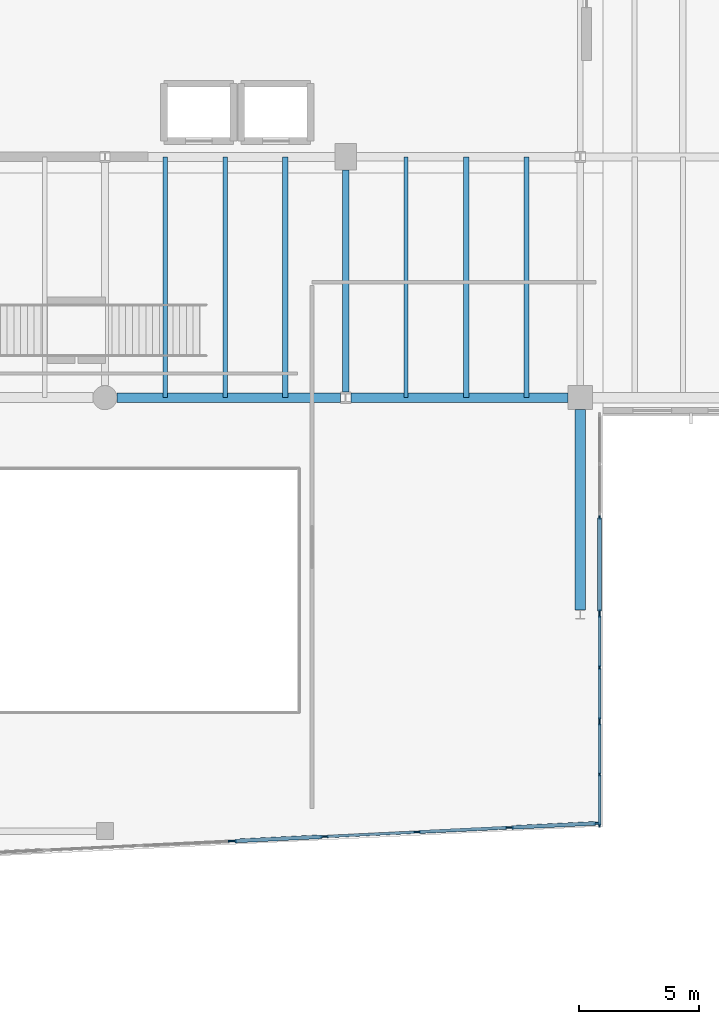
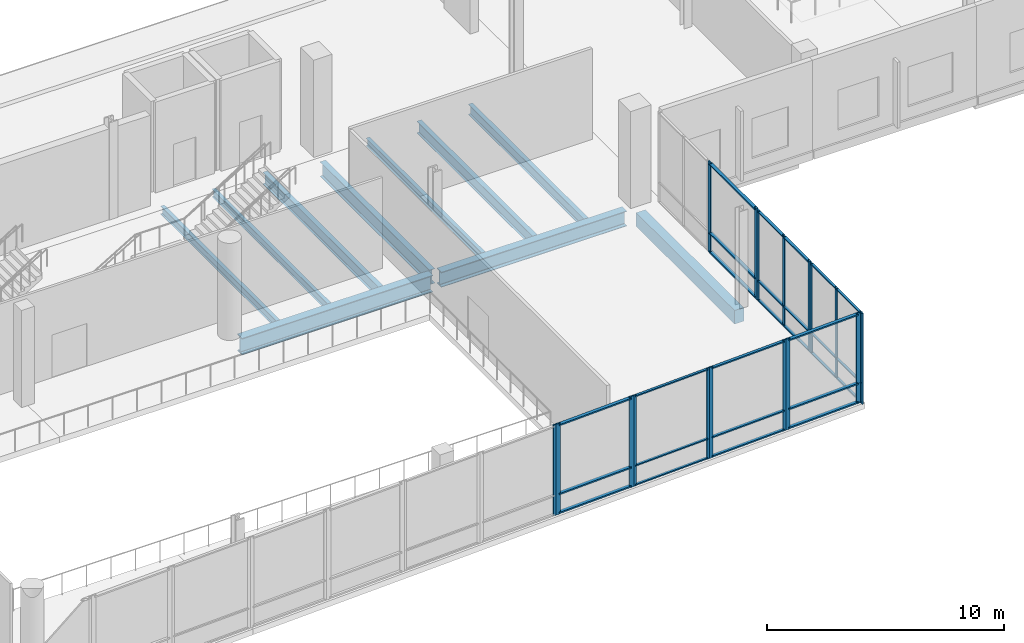
# One storey, part 28 of 81: 44 members, 10 beams, 8 elements without a shape of their own.
"""IFC4 building model written with IfcOpenShell, lengths in metres."""

from ifc_helpers import new_model, si_unit, direction, frame, origin, origin_2d, place, context, subcontext, project, spatial, rectangle, i_section, extrude, material, material_profile, profile_set, type_object, element, aggregate, save


model = new_model("IFC4")

# Units and contexts
model_context = context("Model", 3, precision=1e-05, world=origin(), true_north=direction((0.0, 1.0)))
body_context = subcontext(model_context, "Body", "Model", "MODEL_VIEW")
ifc_project = project(units=[si_unit("LENGTHUNIT", "METRE"), si_unit("AREAUNIT", "SQUARE_METRE"), si_unit("VOLUMEUNIT", "CUBIC_METRE"), si_unit("PLANEANGLEUNIT", "RADIAN"), si_unit("MASSUNIT", "GRAM", prefix="KILO")], contexts=[model_context])

# Site, building, storey
site_placement = place(None, origin())
site = spatial("IfcSite", under=ifc_project, at=site_placement, CompositionType="ELEMENT")
building_placement = place(site_placement, origin())
building = spatial("IfcBuilding", under=site, at=building_placement, Name="Trimount Lyric Opera House", CompositionType="ELEMENT")
storey_placement = place(building_placement, frame((0.0, 0.0, 5.0)))
storey = spatial("IfcBuildingStorey", under=building, at=storey_placement, Name="L01", CompositionType="ELEMENT", Elevation=5.0)

# Beams
ifc_material_1 = material(Name="Steel ASTM A992 Grade 50", Category="steel")
ifc_material_profile_1 = material_profile(ifc_material_1, i_section(OverallWidth=0.40087890625, OverallDepth=0.861083984375, WebThickness=0.019775390625, FlangeThickness=0.032470703125, FilletRadius=0.02001953125, at=origin_2d()), Name="W33X221")
ifc_profile_set_1 = profile_set([ifc_material_profile_1], Name="Steel ASTM A992 Grade 50")
beam_type_1 = type_object("IfcBeamType", Name="B-04", PredefinedType="BEAM", material=ifc_profile_set_1)
beam_1_placement = place(storey_placement, frame((94.5, 44.0, -0.73046875), z_axis=(1.0, 0.0, 0.0), x_axis=(0.0, 1.0, 0.0)))
element("IfcBeam", 1, at=beam_1_placement, inside=storey, type_object=beam_type_1, Name="L01 girder X-0482", PredefinedType="BEAM", context=body_context, shape_type="SweptSolid", body=[
    extrude(i_section(OverallWidth=0.40087890625, OverallDepth=0.861083984375, WebThickness=0.019775390625, FlangeThickness=0.032470703125, FilletRadius=0.02001953125, at=origin_2d()), origin(), (0.0, 0.0, 1.0), 9.2890625),
])
ifc_material_2 = material(Name="Steel ASTM A992 Grade 50", Category="steel")
ifc_material_profile_2 = material_profile(ifc_material_2, i_section(OverallWidth=0.382080078125, OverallDepth=0.779052734375, WebThickness=0.01806640625, FlangeThickness=0.0302734375, FilletRadius=0.01904296875, at=origin_2d()), Name="W30X191")
ifc_profile_set_2 = profile_set([ifc_material_profile_2], Name="Steel ASTM A992 Grade 50")
beam_type_2 = type_object("IfcBeamType", Name="B-06", PredefinedType="BEAM", material=ifc_profile_set_2)
beam_2_placement = place(storey_placement, frame((104.2109375, 44.0, -0.689453125), z_axis=(1.0, 0.0, 0.0), x_axis=(0.0, 1.0, 0.0)))
element("IfcBeam", 2, at=beam_2_placement, inside=storey, type_object=beam_type_2, Name="L01 girder X-0483", PredefinedType="BEAM", context=body_context, shape_type="SweptSolid", body=[
    extrude(i_section(OverallWidth=0.382080078125, OverallDepth=0.779052734375, WebThickness=0.01806640625, FlangeThickness=0.0302734375, FilletRadius=0.01904296875, at=origin_2d()), origin(), (0.0, 0.0, 1.0), 9.029052734375),
])
ifc_material_3 = material(Name="Steel ASTM A992 Grade 50", Category="steel")
ifc_material_profile_3 = material_profile(ifc_material_3, i_section(OverallWidth=0.26708984375, OverallDepth=0.761962890625, WebThickness=0.014404296875, FlangeThickness=0.021484375, FilletRadius=0.01708984375, at=origin_2d()), Name="W30X116")
ifc_profile_set_3 = profile_set([ifc_material_profile_3], Name="Steel ASTM A992 Grade 50")
beam_type_3 = type_object("IfcBeamType", Name="B-07", PredefinedType="BEAM", material=ifc_profile_set_3)
beam_3_placement = place(storey_placement, frame((104.0, 44.232421875, -0.7060546875), z_axis=(0.0, 1.0, 0.0), x_axis=(-1.0, 0.0, 0.0)))
element("IfcBeam", 3, at=beam_3_placement, inside=storey, type_object=beam_type_3, Name="L01 girder Y-0660", PredefinedType="BEAM", context=body_context, shape_type="SweptSolid", body=[
    extrude(i_section(OverallWidth=0.26708984375, OverallDepth=0.761962890625, WebThickness=0.014404296875, FlangeThickness=0.021484375, FilletRadius=0.01708984375, at=origin_2d()), origin(), (0.0, 0.0, 1.0), 9.217529296875),
])
ifc_material_4 = material(Name="Steel ASTM A992 Grade 50", Category="steel")
ifc_material_profile_4 = material_profile(ifc_material_4, i_section(OverallWidth=0.22802734375, OverallDepth=0.60205078125, WebThickness=0.010498046875, FlangeThickness=0.014892578125, FilletRadius=0.012939453125, at=origin_2d()), Name="W24X68")
ifc_profile_set_4 = profile_set([ifc_material_profile_4], Name="Steel ASTM A992 Grade 50")
beam_type_4 = type_object("IfcBeamType", Name="J-01", PredefinedType="BEAM", material=ifc_profile_set_4)
for number, where, z_axis, x_axis, name in (
    (4, (101.5, 44.011962890625, -0.6259765625), (0.0, 1.0, 0.0), (-1.0, 0.0, 0.0), "L01 composite floor joist 0691"),
    (5, (109.0, 44.011962890625, -0.6259765625), (0.0, 1.0, 0.0), (-1.0, 0.0, 0.0), "L01 composite floor joist 0693"),
):
    element("IfcBeam", number, at=place(storey_placement, frame(where, z_axis=z_axis, x_axis=x_axis)), inside=storey, type_object=beam_type_4, Name=name, PredefinedType="BEAM", context=body_context, shape_type="SweptSolid", body=[
        extrude(i_section(OverallWidth=0.22802734375, OverallDepth=0.60205078125, WebThickness=0.010498046875, FlangeThickness=0.014892578125, FilletRadius=0.012939453125, at=origin_2d()), origin(), (0.0, 0.0, 1.0), 9.97607421875),
    ])
ifc_material_5 = material(Name="Steel ASTM A992 Grade 50", Category="steel")
ifc_material_profile_5 = material_profile(ifc_material_5, i_section(OverallWidth=0.2099609375, OverallDepth=0.532958984375, WebThickness=0.01025390625, FlangeThickness=0.015625, FilletRadius=0.012939453125, at=origin_2d()), Name="W21X62")
ifc_profile_set_5 = profile_set([ifc_material_profile_5], Name="Steel ASTM A992 Grade 50")
beam_type_5 = type_object("IfcBeamType", Name="J-02", PredefinedType="BEAM", material=ifc_profile_set_5)
beam_4_placement = place(storey_placement, frame((111.5, 44.011962890625, -0.591552734375), z_axis=(0.0, 1.0, 0.0), x_axis=(-1.0, 0.0, 0.0)))
element("IfcBeam", 6, at=beam_4_placement, inside=storey, type_object=beam_type_5, Name="L01 composite floor joist 0694", PredefinedType="BEAM", context=body_context, shape_type="SweptSolid", body=[
    extrude(i_section(OverallWidth=0.2099609375, OverallDepth=0.532958984375, WebThickness=0.01025390625, FlangeThickness=0.015625, FilletRadius=0.012939453125, at=origin_2d()), origin(), (0.0, 0.0, 1.0), 9.97607421875),
])
ifc_material_6 = material(Name="Steel ASTM A992 Grade 50", Category="steel")
ifc_material_profile_6 = material_profile(ifc_material_6, i_section(OverallWidth=0.180908203125, OverallDepth=0.4169921875, WebThickness=0.010986328125, FlangeThickness=0.018310546875, FilletRadius=0.010986328125, at=origin_2d()), Name="W16X57")
ifc_profile_set_6 = profile_set([ifc_material_profile_6], Name="Steel ASTM A992 Grade 50")
beam_type_6 = type_object("IfcBeamType", Name="J-05", PredefinedType="BEAM", material=ifc_profile_set_6)
beam_5_placement = place(storey_placement, frame((96.5, 44.011962890625, -0.533447265625), z_axis=(0.0, 1.0, 0.0), x_axis=(-1.0, 0.0, 0.0)))
element("IfcBeam", 7, at=beam_5_placement, inside=storey, type_object=beam_type_6, Name="L01 composite floor joist 0689", PredefinedType="BEAM", context=body_context, shape_type="SweptSolid", body=[
    extrude(i_section(OverallWidth=0.180908203125, OverallDepth=0.4169921875, WebThickness=0.010986328125, FlangeThickness=0.018310546875, FilletRadius=0.010986328125, at=origin_2d()), origin(), (0.0, 0.0, 1.0), 9.97607421875),
])
ifc_material_7 = material(Name="Steel ASTM A992 Grade 50", Category="steel")
ifc_material_profile_7 = material_profile(ifc_material_7, i_section(OverallWidth=0.177978515625, OverallDepth=0.404052734375, WebThickness=0.007568359375, FlangeThickness=0.010986328125, FilletRadius=0.010009765625, at=origin_2d()), Name="W16X36")
ifc_profile_set_7 = profile_set([ifc_material_profile_7], Name="Steel ASTM A992 Grade 50")
beam_type_7 = type_object("IfcBeamType", Name="J-06", PredefinedType="BEAM", material=ifc_profile_set_7)
for number, where, z_axis, x_axis, name in (
    (8, (99.0, 44.011962890625, -0.527099609375), (0.0, 1.0, 0.0), (-1.0, 0.0, 0.0), "L01 composite floor joist 0690"),
    (9, (106.5, 44.011962890625, -0.527099609375), (0.0, 1.0, 0.0), (-1.0, 0.0, 0.0), "L01 composite floor joist 0692"),
):
    element("IfcBeam", number, at=place(storey_placement, frame(where, z_axis=z_axis, x_axis=x_axis)), inside=storey, type_object=beam_type_7, Name=name, PredefinedType="BEAM", context=body_context, shape_type="SweptSolid", body=[
        extrude(i_section(OverallWidth=0.177978515625, OverallDepth=0.404052734375, WebThickness=0.007568359375, FlangeThickness=0.010986328125, FilletRadius=0.010009765625, at=origin_2d()), origin(), (0.0, 0.0, 1.0), 9.97607421875),
    ])

# Curtain wall, members
ifc_material_8 = material(Name="Thermally Broken Aluminium and Low-E Glass", Category="aluminium")
curtain_wall_type = type_object("IfcCurtainWallType", Name="CW-01", PredefinedType="NOTDEFINED", material=ifc_material_8)
curtain_wall_1_placement = place(storey_placement, origin())
curtain_wall_1 = element("IfcCurtainWall", 10, at=curtain_wall_1_placement, inside=storey, type_object=curtain_wall_type, Name="L01 curtain wall 090", PredefinedType="NOTDEFINED")
ifc_material_9 = material(Name="Anodised Aluminium 6063-T6", Category="aluminium")
ifc_material_profile_8 = material_profile(ifc_material_9, rectangle(XDim=0.070068359375, YDim=0.219970703125, at=origin_2d()), Name="ALU-MULL-70X220")
ifc_profile_set_8 = profile_set([ifc_material_profile_8], Name="Anodised Aluminium 6063-T6")
member_type_1 = type_object("IfcMemberType", Name="ML-01", PredefinedType="MULLION", material=ifc_profile_set_8)
member_1_placement = place(storey_placement, frame((114.5400390625, 39.034912109375, 0.0), z_axis=(0.0, 0.0, 1.0), x_axis=(1.0, 0.0, 0.0)))
member_1 = element("IfcMember", 11, at=member_1_placement, type_object=member_type_1, Name="CW-01 mullion 1", PredefinedType="MULLION", context=body_context, shape_type="SweptSolid", body=[
    extrude(rectangle(XDim=0.070068359375, YDim=0.219970703125, at=origin_2d()), origin(), (0.0, 0.0, 1.0), 4.679931640625),
])
member_2_placement = place(storey_placement, frame((114.5400390625, 35.114990234375, 0.0), z_axis=(0.0, 0.0, 1.0), x_axis=(1.0, 0.0, 0.0)))
member_2 = element("IfcMember", 12, at=member_2_placement, type_object=member_type_1, Name="CW-01 mullion 2", PredefinedType="MULLION", context=body_context, shape_type="SweptSolid", body=[
    extrude(rectangle(XDim=0.070068359375, YDim=0.219970703125, at=origin_2d()), origin(), (0.0, 0.0, 1.0), 4.679931640625),
])

curtain_wall_2_placement = place(storey_placement, origin())
curtain_wall_2 = element("IfcCurtainWall", 13, at=curtain_wall_2_placement, inside=storey, type_object=curtain_wall_type, Name="L01 curtain wall 093", PredefinedType="NOTDEFINED")
member_3_placement = place(storey_placement, frame((114.4150390625, 26.327392578125, 0.0), z_axis=(0.0, 0.0, 1.0), x_axis=(0.048668725272, -0.998814975449, 0.0)))
member_3 = element("IfcMember", 14, at=member_3_placement, type_object=member_type_1, Name="CW-01 mullion 1", PredefinedType="MULLION", context=body_context, shape_type="SweptSolid", body=[
    extrude(rectangle(XDim=0.070068359375, YDim=0.219970703125, at=origin_2d()), origin(), (0.0, 0.0, 1.0), 4.679931640625),
])
member_4_placement = place(storey_placement, frame((110.873046875, 26.15478515625, 0.0), z_axis=(0.0, 0.0, 1.0), x_axis=(0.048668725272, -0.998814975449, 0.0)))
member_4 = element("IfcMember", 15, at=member_4_placement, type_object=member_type_1, Name="CW-01 mullion 2", PredefinedType="MULLION", context=body_context, shape_type="SweptSolid", body=[
    extrude(rectangle(XDim=0.070068359375, YDim=0.219970703125, at=origin_2d()), origin(), (0.0, 0.0, 1.0), 4.679931640625),
])

curtain_wall_3_placement = place(storey_placement, origin())
curtain_wall_3 = element("IfcCurtainWall", 16, at=curtain_wall_3_placement, inside=storey, type_object=curtain_wall_type, Name="L01 curtain wall 096", PredefinedType="NOTDEFINED")
member_5_placement = place(storey_placement, frame((103.04296875, 25.772216796875, 0.0), z_axis=(0.0, 0.0, 1.0), x_axis=(0.048806917619, -0.998808232241, 0.0)))
member_5 = element("IfcMember", 17, at=member_5_placement, type_object=member_type_1, Name="CW-01 mullion 1", PredefinedType="MULLION", context=body_context, shape_type="SweptSolid", body=[
    extrude(rectangle(XDim=0.070068359375, YDim=0.219970703125, at=origin_2d()), origin(), (0.0, 0.0, 1.0), 4.679931640625),
])
member_6_placement = place(storey_placement, frame((99.367919921875, 25.5927734375, 0.0), z_axis=(0.0, 0.0, 1.0), x_axis=(0.048806917619, -0.998808232241, 0.0)))
member_6 = element("IfcMember", 18, at=member_6_placement, type_object=member_type_1, Name="CW-01 mullion 2", PredefinedType="MULLION", context=body_context, shape_type="SweptSolid", body=[
    extrude(rectangle(XDim=0.070068359375, YDim=0.219970703125, at=origin_2d()), origin(), (0.0, 0.0, 1.0), 4.679931640625),
])

curtain_wall_4_placement = place(storey_placement, origin())
curtain_wall_4 = element("IfcCurtainWall", 19, at=curtain_wall_4_placement, inside=storey, type_object=curtain_wall_type, Name="L01 curtain wall 091", PredefinedType="NOTDEFINED")
ifc_material_10 = material(Name="Anodised Aluminium 6063-T6", Category="aluminium")
ifc_material_profile_9 = material_profile(ifc_material_10, rectangle(XDim=0.06494140625, YDim=0.179931640625, at=origin_2d()), Name="ALU-MULL-65X180")
ifc_profile_set_9 = profile_set([ifc_material_profile_9], Name="Anodised Aluminium 6063-T6")
member_type_2 = type_object("IfcMemberType", Name="ML-02", PredefinedType="MULLION", material=ifc_profile_set_9)
member_7_placement = place(storey_placement, frame((114.5400390625, 34.95751953125, 0.0), z_axis=(0.0, 0.0, 1.0), x_axis=(1.0, 0.0, 0.0)))
member_7 = element("IfcMember", 20, at=member_7_placement, type_object=member_type_2, Name="CW-01 mullion 1", PredefinedType="MULLION", context=body_context, shape_type="SweptSolid", body=[
    extrude(rectangle(XDim=0.06494140625, YDim=0.179931640625, at=origin_2d()), origin(), (0.0, 0.0, 1.0), 4.679931640625),
])
member_8_placement = place(storey_placement, frame((114.5400390625, 32.794921875, 0.0), z_axis=(0.0, 0.0, 1.0), x_axis=(1.0, 0.0, 0.0)))
member_8 = element("IfcMember", 21, at=member_8_placement, type_object=member_type_2, Name="CW-01 mullion 2", PredefinedType="MULLION", context=body_context, shape_type="SweptSolid", body=[
    extrude(rectangle(XDim=0.06494140625, YDim=0.179931640625, at=origin_2d()), origin(), (0.0, 0.0, 1.0), 4.679931640625),
])
member_9_placement = place(storey_placement, frame((114.5400390625, 30.632568359375, 0.0), z_axis=(0.0, 0.0, 1.0), x_axis=(1.0, 0.0, 0.0)))
member_9 = element("IfcMember", 22, at=member_9_placement, type_object=member_type_2, Name="CW-01 mullion 3", PredefinedType="MULLION", context=body_context, shape_type="SweptSolid", body=[
    extrude(rectangle(XDim=0.06494140625, YDim=0.179931640625, at=origin_2d()), origin(), (0.0, 0.0, 1.0), 4.679931640625),
])

curtain_wall_5_placement = place(storey_placement, origin())
curtain_wall_5 = element("IfcCurtainWall", 23, at=curtain_wall_5_placement, inside=storey, type_object=curtain_wall_type, Name="L01 curtain wall 094", PredefinedType="NOTDEFINED")
member_10_placement = place(storey_placement, frame((110.715576171875, 26.146484375, 0.0), z_axis=(0.0, 0.0, 1.0), x_axis=(0.048540843291, -0.99882119848, 0.0)))
member_10 = element("IfcMember", 24, at=member_10_placement, type_object=member_type_2, Name="CW-01 mullion 1", PredefinedType="MULLION", context=body_context, shape_type="SweptSolid", body=[
    extrude(rectangle(XDim=0.06494140625, YDim=0.179931640625, at=origin_2d()), origin(), (0.0, 0.0, 1.0), 4.679931640625),
])
member_11_placement = place(storey_placement, frame((107.035400390625, 25.967529296875, 0.0), z_axis=(0.0, 0.0, 1.0), x_axis=(0.048540843291, -0.99882119848, 0.0)))
member_11 = element("IfcMember", 25, at=member_11_placement, type_object=member_type_2, Name="CW-01 mullion 2", PredefinedType="MULLION", context=body_context, shape_type="SweptSolid", body=[
    extrude(rectangle(XDim=0.06494140625, YDim=0.179931640625, at=origin_2d()), origin(), (0.0, 0.0, 1.0), 4.679931640625),
])

# Curtain wall, member
curtain_wall_6_placement = place(storey_placement, origin())
curtain_wall_6 = element("IfcCurtainWall", 26, at=curtain_wall_6_placement, inside=storey, type_object=curtain_wall_type, Name="L01 curtain wall 097", PredefinedType="NOTDEFINED")
member_12_placement = place(storey_placement, frame((99.21044921875, 25.58544921875, 0.0), z_axis=(0.0, 0.0, 1.0), x_axis=(0.048806917619, -0.998808232241, 0.0)))
member_12 = element("IfcMember", 27, at=member_12_placement, type_object=member_type_2, Name="CW-01 mullion 1", PredefinedType="MULLION", context=body_context, shape_type="SweptSolid", body=[
    extrude(rectangle(XDim=0.06494140625, YDim=0.179931640625, at=origin_2d()), origin(), (0.0, 0.0, 1.0), 4.679931640625),
])
aggregate(curtain_wall_6, [member_12])

# Curtain wall, members
curtain_wall_7_placement = place(storey_placement, origin())
curtain_wall_7 = element("IfcCurtainWall", 28, at=curtain_wall_7_placement, inside=storey, type_object=curtain_wall_type, Name="L01 curtain wall 092", PredefinedType="NOTDEFINED")
ifc_material_11 = material(Name="Anodised Aluminium 6063-T6", Category="aluminium")
ifc_material_profile_10 = material_profile(ifc_material_11, rectangle(XDim=0.06005859375, YDim=0.14990234375, at=origin_2d()), Name="ALU-MULL-60X150")
ifc_profile_set_10 = profile_set([ifc_material_profile_10], Name="Anodised Aluminium 6063-T6")
member_type_3 = type_object("IfcMemberType", Name="ML-03", PredefinedType="MULLION", material=ifc_profile_set_10)
member_13_placement = place(storey_placement, frame((114.5400390625, 30.47998046875, 0.0), z_axis=(0.0, 0.0, 1.0), x_axis=(1.0, 0.0, 0.0)))
member_13 = element("IfcMember", 29, at=member_13_placement, type_object=member_type_3, Name="CW-01 mullion 1", PredefinedType="MULLION", context=body_context, shape_type="SweptSolid", body=[
    extrude(rectangle(XDim=0.06005859375, YDim=0.14990234375, at=origin_2d()), origin(), (0.0, 0.0, 1.0), 4.679931640625),
])
member_14_placement = place(storey_placement, frame((114.5400390625, 28.35498046875, 0.0), z_axis=(0.0, 0.0, 1.0), x_axis=(1.0, 0.0, 0.0)))
member_14 = element("IfcMember", 30, at=member_14_placement, type_object=member_type_3, Name="CW-01 mullion 2", PredefinedType="MULLION", context=body_context, shape_type="SweptSolid", body=[
    extrude(rectangle(XDim=0.06005859375, YDim=0.14990234375, at=origin_2d()), origin(), (0.0, 0.0, 1.0), 4.679931640625),
])
member_15_placement = place(storey_placement, frame((114.5400390625, 26.22998046875, 0.0), z_axis=(0.0, 0.0, 1.0), x_axis=(1.0, 0.0, 0.0)))
member_15 = element("IfcMember", 31, at=member_15_placement, type_object=member_type_3, Name="CW-01 mullion 3", PredefinedType="MULLION", context=body_context, shape_type="SweptSolid", body=[
    extrude(rectangle(XDim=0.06005859375, YDim=0.14990234375, at=origin_2d()), origin(), (0.0, 0.0, 1.0), 4.679931640625),
])

curtain_wall_8_placement = place(storey_placement, origin())
curtain_wall_8 = element("IfcCurtainWall", 32, at=curtain_wall_8_placement, inside=storey, type_object=curtain_wall_type, Name="L01 curtain wall 095", PredefinedType="NOTDEFINED")
member_16_placement = place(storey_placement, frame((106.883056640625, 25.95947265625, 0.0), z_axis=(0.0, 0.0, 1.0), x_axis=(0.048806917619, -0.998808232241, 0.0)))
member_16 = element("IfcMember", 33, at=member_16_placement, type_object=member_type_3, Name="CW-01 mullion 1", PredefinedType="MULLION", context=body_context, shape_type="SweptSolid", body=[
    extrude(rectangle(XDim=0.06005859375, YDim=0.14990234375, at=origin_2d()), origin(), (0.0, 0.0, 1.0), 4.679931640625),
])
member_17_placement = place(storey_placement, frame((103.197998046875, 25.779541015625, 0.0), z_axis=(0.0, 0.0, 1.0), x_axis=(0.048806917619, -0.998808232241, 0.0)))
member_17 = element("IfcMember", 34, at=member_17_placement, type_object=member_type_3, Name="CW-01 mullion 2", PredefinedType="MULLION", context=body_context, shape_type="SweptSolid", body=[
    extrude(rectangle(XDim=0.06005859375, YDim=0.14990234375, at=origin_2d()), origin(), (0.0, 0.0, 1.0), 4.679931640625),
])

# Beam
ifc_material_12 = material(Name="Concrete C40/50", Category="concrete")
ifc_material_profile_11 = material_profile(ifc_material_12, rectangle(XDim=0.449951171875, YDim=0.699951171875, at=origin_2d()), Name="RC450X700")
ifc_profile_set_11 = profile_set([ifc_material_profile_11], Name="Concrete C40/50")
beam_type_8 = type_object("IfcBeamType", Name="SP-02", PredefinedType="SPANDREL", material=ifc_profile_set_11)
beam_6_placement = place(storey_placement, frame((113.739990234375, 35.193115234375, -0.64990234375), z_axis=(0.0, 1.0, 0.0), x_axis=(-1.0, 0.0, 0.0)))
element("IfcBeam", 35, at=beam_6_placement, inside=storey, type_object=beam_type_8, Name="L01 girder Y-0662", PredefinedType="SPANDREL", context=body_context, shape_type="SweptSolid", body=[
    extrude(rectangle(XDim=0.449951171875, YDim=0.699951171875, at=origin_2d()), origin(), (0.0, 0.0, 1.0), 8.306884765625),
])

# Member
ifc_material_13 = material(Name="Anodised Aluminium 6063-T6", Category="aluminium")
ifc_material_profile_12 = material_profile(ifc_material_13, rectangle(XDim=0.159912109375, YDim=0.070068359375, at=origin_2d()), Name="ALU-TRAN-70X160")
ifc_profile_set_12 = profile_set([ifc_material_profile_12], Name="Anodised Aluminium 6063-T6")
member_type_4 = type_object("IfcMemberType", Name="TR-01", PredefinedType="USERDEFINED", material=ifc_profile_set_12)
member_18_placement = place(storey_placement, frame((114.5400390625, 39.0, 0.080078125), z_axis=(0.0, -1.0, 0.0), x_axis=(1.0, 0.0, 0.0)))
member_18 = element("IfcMember", 36, at=member_18_placement, type_object=member_type_4, Name="CW-01 transom 1.1", ObjectType="TRANSOM", PredefinedType="USERDEFINED", context=body_context, shape_type="SweptSolid", body=[
    extrude(rectangle(XDim=0.159912109375, YDim=0.070068359375, at=origin_2d()), origin(), (0.0, 0.0, 1.0), 3.85009765625),
])

member_19_placement = place(storey_placement, frame((114.5400390625, 39.0, 1.050048828125), z_axis=(0.0, -1.0, 0.0), x_axis=(1.0, 0.0, 0.0)))
member_19 = element("IfcMember", 37, at=member_19_placement, type_object=member_type_4, Name="CW-01 transom 1.2", ObjectType="TRANSOM", PredefinedType="USERDEFINED", context=body_context, shape_type="SweptSolid", body=[
    extrude(rectangle(XDim=0.159912109375, YDim=0.070068359375, at=origin_2d()), origin(), (0.0, 0.0, 1.0), 3.85009765625),
])

member_20_placement = place(storey_placement, frame((114.5400390625, 39.0, 4.60009765625), z_axis=(0.0, -1.0, 0.0), x_axis=(1.0, 0.0, 0.0)))
member_20 = element("IfcMember", 38, at=member_20_placement, type_object=member_type_4, Name="CW-01 transom 1.3", ObjectType="TRANSOM", PredefinedType="USERDEFINED", context=body_context, shape_type="SweptSolid", body=[
    extrude(rectangle(XDim=0.159912109375, YDim=0.070068359375, at=origin_2d()), origin(), (0.0, 0.0, 1.0), 3.85009765625),
])

aggregate(curtain_wall_1, [member_1, member_2, member_18, member_19, member_20])

member_21_placement = place(storey_placement, frame((114.380126953125, 26.32568359375, 0.080078125), z_axis=(-0.998814933861, -0.048669578763, 0.0), x_axis=(0.048669578763, -0.998814933861, 0.0)))
member_21 = element("IfcMember", 39, at=member_21_placement, type_object=member_type_4, Name="CW-01 transom 1.1", ObjectType="TRANSOM", PredefinedType="USERDEFINED", context=body_context, shape_type="SweptSolid", body=[
    extrude(rectangle(XDim=0.159912109375, YDim=0.070068359375, at=origin_2d()), origin(), (0.0, 0.0, 1.0), 3.476318359375),
])

member_22_placement = place(storey_placement, frame((114.380126953125, 26.32568359375, 1.050048828125), z_axis=(-0.998814933861, -0.048669578763, 0.0), x_axis=(0.048669578763, -0.998814933861, 0.0)))
member_22 = element("IfcMember", 40, at=member_22_placement, type_object=member_type_4, Name="CW-01 transom 1.2", ObjectType="TRANSOM", PredefinedType="USERDEFINED", context=body_context, shape_type="SweptSolid", body=[
    extrude(rectangle(XDim=0.159912109375, YDim=0.070068359375, at=origin_2d()), origin(), (0.0, 0.0, 1.0), 3.476318359375),
])

member_23_placement = place(storey_placement, frame((114.380126953125, 26.32568359375, 4.60009765625), z_axis=(-0.998814933861, -0.048669578763, 0.0), x_axis=(0.048669578763, -0.998814933861, 0.0)))
member_23 = element("IfcMember", 41, at=member_23_placement, type_object=member_type_4, Name="CW-01 transom 1.3", ObjectType="TRANSOM", PredefinedType="USERDEFINED", context=body_context, shape_type="SweptSolid", body=[
    extrude(rectangle(XDim=0.159912109375, YDim=0.070068359375, at=origin_2d()), origin(), (0.0, 0.0, 1.0), 3.476318359375),
])

aggregate(curtain_wall_2, [member_3, member_4, member_21, member_22, member_23])

member_24_placement = place(storey_placement, frame((103.008056640625, 25.7705078125, 0.080078125), z_axis=(-0.998810182509, -0.048766990018, 0.0), x_axis=(0.048766990018, -0.998810182509, 0.0)))
member_24 = element("IfcMember", 42, at=member_24_placement, type_object=member_type_4, Name="CW-01 transom 1.1", ObjectType="TRANSOM", PredefinedType="USERDEFINED", context=body_context, shape_type="SweptSolid", body=[
    extrude(rectangle(XDim=0.159912109375, YDim=0.070068359375, at=origin_2d()), origin(), (0.0, 0.0, 1.0), 3.609619140625),
])

member_25_placement = place(storey_placement, frame((103.008056640625, 25.7705078125, 1.050048828125), z_axis=(-0.998810182509, -0.048766990018, 0.0), x_axis=(0.048766990018, -0.998810182509, 0.0)))
member_25 = element("IfcMember", 43, at=member_25_placement, type_object=member_type_4, Name="CW-01 transom 1.2", ObjectType="TRANSOM", PredefinedType="USERDEFINED", context=body_context, shape_type="SweptSolid", body=[
    extrude(rectangle(XDim=0.159912109375, YDim=0.070068359375, at=origin_2d()), origin(), (0.0, 0.0, 1.0), 3.609619140625),
])

member_26_placement = place(storey_placement, frame((103.008056640625, 25.7705078125, 4.60009765625), z_axis=(-0.998810182509, -0.048766990018, 0.0), x_axis=(0.048766990018, -0.998810182509, 0.0)))
member_26 = element("IfcMember", 44, at=member_26_placement, type_object=member_type_4, Name="CW-01 transom 1.3", ObjectType="TRANSOM", PredefinedType="USERDEFINED", context=body_context, shape_type="SweptSolid", body=[
    extrude(rectangle(XDim=0.159912109375, YDim=0.070068359375, at=origin_2d()), origin(), (0.0, 0.0, 1.0), 3.609619140625),
])

aggregate(curtain_wall_3, [member_5, member_6, member_24, member_25, member_26])

ifc_material_14 = material(Name="Anodised Aluminium 6063-T6", Category="aluminium")
ifc_material_profile_13 = material_profile(ifc_material_14, rectangle(XDim=0.135009765625, YDim=0.06494140625, at=origin_2d()), Name="ALU-TRAN-65X135")
ifc_profile_set_13 = profile_set([ifc_material_profile_13], Name="Anodised Aluminium 6063-T6")
member_type_5 = type_object("IfcMemberType", Name="TR-02", PredefinedType="USERDEFINED", material=ifc_profile_set_13)
member_27_placement = place(storey_placement, frame((114.5400390625, 34.925048828125, 0.0673828125), z_axis=(0.0, -1.0, 0.0), x_axis=(1.0, 0.0, 0.0)))
member_27 = element("IfcMember", 45, at=member_27_placement, type_object=member_type_5, Name="CW-01 transom 1.1", ObjectType="TRANSOM", PredefinedType="USERDEFINED", context=body_context, shape_type="SweptSolid", body=[
    extrude(rectangle(XDim=0.135009765625, YDim=0.06494140625, at=origin_2d()), origin(), (0.0, 0.0, 1.0), 2.09765625),
])

member_28_placement = place(storey_placement, frame((114.5400390625, 34.925048828125, 1.050048828125), z_axis=(0.0, -1.0, 0.0), x_axis=(1.0, 0.0, 0.0)))
member_28 = element("IfcMember", 46, at=member_28_placement, type_object=member_type_5, Name="CW-01 transom 1.2", ObjectType="TRANSOM", PredefinedType="USERDEFINED", context=body_context, shape_type="SweptSolid", body=[
    extrude(rectangle(XDim=0.135009765625, YDim=0.06494140625, at=origin_2d()), origin(), (0.0, 0.0, 1.0), 2.09765625),
])

member_29_placement = place(storey_placement, frame((114.5400390625, 34.925048828125, 4.612548828125), z_axis=(0.0, -1.0, 0.0), x_axis=(1.0, 0.0, 0.0)))
member_29 = element("IfcMember", 47, at=member_29_placement, type_object=member_type_5, Name="CW-01 transom 1.3", ObjectType="TRANSOM", PredefinedType="USERDEFINED", context=body_context, shape_type="SweptSolid", body=[
    extrude(rectangle(XDim=0.135009765625, YDim=0.06494140625, at=origin_2d()), origin(), (0.0, 0.0, 1.0), 2.09765625),
])

member_30_placement = place(storey_placement, frame((114.5400390625, 32.762451171875, 0.0673828125), z_axis=(0.0, -1.0, 0.0), x_axis=(1.0, 0.0, 0.0)))
member_30 = element("IfcMember", 48, at=member_30_placement, type_object=member_type_5, Name="CW-01 transom 2.1", ObjectType="TRANSOM", PredefinedType="USERDEFINED", context=body_context, shape_type="SweptSolid", body=[
    extrude(rectangle(XDim=0.135009765625, YDim=0.06494140625, at=origin_2d()), origin(), (0.0, 0.0, 1.0), 2.097412109375),
])

member_31_placement = place(storey_placement, frame((114.5400390625, 32.762451171875, 1.050048828125), z_axis=(0.0, -1.0, 0.0), x_axis=(1.0, 0.0, 0.0)))
member_31 = element("IfcMember", 49, at=member_31_placement, type_object=member_type_5, Name="CW-01 transom 2.2", ObjectType="TRANSOM", PredefinedType="USERDEFINED", context=body_context, shape_type="SweptSolid", body=[
    extrude(rectangle(XDim=0.135009765625, YDim=0.06494140625, at=origin_2d()), origin(), (0.0, 0.0, 1.0), 2.097412109375),
])

member_32_placement = place(storey_placement, frame((114.5400390625, 32.762451171875, 4.612548828125), z_axis=(0.0, -1.0, 0.0), x_axis=(1.0, 0.0, 0.0)))
member_32 = element("IfcMember", 50, at=member_32_placement, type_object=member_type_5, Name="CW-01 transom 2.3", ObjectType="TRANSOM", PredefinedType="USERDEFINED", context=body_context, shape_type="SweptSolid", body=[
    extrude(rectangle(XDim=0.135009765625, YDim=0.06494140625, at=origin_2d()), origin(), (0.0, 0.0, 1.0), 2.097412109375),
])

aggregate(curtain_wall_4, [member_7, member_8, member_9, member_27, member_28, member_29, member_30, member_31, member_32])

member_33_placement = place(storey_placement, frame((110.68310546875, 26.144775390625, 0.0673828125), z_axis=(-0.998823294206, -0.048497700468, 0.0), x_axis=(0.048497700468, -0.998823294206, 0.0)))
member_33 = element("IfcMember", 51, at=member_33_placement, type_object=member_type_5, Name="CW-01 transom 1.1", ObjectType="TRANSOM", PredefinedType="USERDEFINED", context=body_context, shape_type="SweptSolid", body=[
    extrude(rectangle(XDim=0.135009765625, YDim=0.06494140625, at=origin_2d()), origin(), (0.0, 0.0, 1.0), 3.619384765625),
])

member_34_placement = place(storey_placement, frame((110.68310546875, 26.144775390625, 1.050048828125), z_axis=(-0.998823294206, -0.048497700468, 0.0), x_axis=(0.048497700468, -0.998823294206, 0.0)))
member_34 = element("IfcMember", 52, at=member_34_placement, type_object=member_type_5, Name="CW-01 transom 1.2", ObjectType="TRANSOM", PredefinedType="USERDEFINED", context=body_context, shape_type="SweptSolid", body=[
    extrude(rectangle(XDim=0.135009765625, YDim=0.06494140625, at=origin_2d()), origin(), (0.0, 0.0, 1.0), 3.619384765625),
])

member_35_placement = place(storey_placement, frame((110.68310546875, 26.144775390625, 4.612548828125), z_axis=(-0.998823294206, -0.048497700468, 0.0), x_axis=(0.048497700468, -0.998823294206, 0.0)))
member_35 = element("IfcMember", 53, at=member_35_placement, type_object=member_type_5, Name="CW-01 transom 1.3", ObjectType="TRANSOM", PredefinedType="USERDEFINED", context=body_context, shape_type="SweptSolid", body=[
    extrude(rectangle(XDim=0.135009765625, YDim=0.06494140625, at=origin_2d()), origin(), (0.0, 0.0, 1.0), 3.619384765625),
])

aggregate(curtain_wall_5, [member_10, member_11, member_33, member_34, member_35])

ifc_material_15 = material(Name="Anodised Aluminium 6063-T6", Category="aluminium")
ifc_material_profile_14 = material_profile(ifc_material_15, rectangle(XDim=0.114990234375, YDim=0.06005859375, at=origin_2d()), Name="ALU-TRAN-60X115")
ifc_profile_set_14 = profile_set([ifc_material_profile_14], Name="Anodised Aluminium 6063-T6")
member_type_6 = type_object("IfcMemberType", Name="TR-03", PredefinedType="USERDEFINED", material=ifc_profile_set_14)
member_36_placement = place(storey_placement, frame((114.5400390625, 30.449951171875, 0.0576171875), z_axis=(0.0, -1.0, 0.0), x_axis=(1.0, 0.0, 0.0)))
member_36 = element("IfcMember", 54, at=member_36_placement, type_object=member_type_6, Name="CW-01 transom 1.1", ObjectType="TRANSOM", PredefinedType="USERDEFINED", context=body_context, shape_type="SweptSolid", body=[
    extrude(rectangle(XDim=0.114990234375, YDim=0.06005859375, at=origin_2d()), origin(), (0.0, 0.0, 1.0), 2.06494140625),
])

member_37_placement = place(storey_placement, frame((114.5400390625, 30.449951171875, 1.050048828125), z_axis=(0.0, -1.0, 0.0), x_axis=(1.0, 0.0, 0.0)))
member_37 = element("IfcMember", 55, at=member_37_placement, type_object=member_type_6, Name="CW-01 transom 1.2", ObjectType="TRANSOM", PredefinedType="USERDEFINED", context=body_context, shape_type="SweptSolid", body=[
    extrude(rectangle(XDim=0.114990234375, YDim=0.06005859375, at=origin_2d()), origin(), (0.0, 0.0, 1.0), 2.06494140625),
])

member_38_placement = place(storey_placement, frame((114.5400390625, 30.449951171875, 4.62255859375), z_axis=(0.0, -1.0, 0.0), x_axis=(1.0, 0.0, 0.0)))
member_38 = element("IfcMember", 56, at=member_38_placement, type_object=member_type_6, Name="CW-01 transom 1.3", ObjectType="TRANSOM", PredefinedType="USERDEFINED", context=body_context, shape_type="SweptSolid", body=[
    extrude(rectangle(XDim=0.114990234375, YDim=0.06005859375, at=origin_2d()), origin(), (0.0, 0.0, 1.0), 2.06494140625),
])

member_39_placement = place(storey_placement, frame((114.5400390625, 28.324951171875, 0.0576171875), z_axis=(0.0, -1.0, 0.0), x_axis=(1.0, 0.0, 0.0)))
member_39 = element("IfcMember", 57, at=member_39_placement, type_object=member_type_6, Name="CW-01 transom 2.1", ObjectType="TRANSOM", PredefinedType="USERDEFINED", context=body_context, shape_type="SweptSolid", body=[
    extrude(rectangle(XDim=0.114990234375, YDim=0.06005859375, at=origin_2d()), origin(), (0.0, 0.0, 1.0), 2.06494140625),
])

member_40_placement = place(storey_placement, frame((114.5400390625, 28.324951171875, 1.050048828125), z_axis=(0.0, -1.0, 0.0), x_axis=(1.0, 0.0, 0.0)))
member_40 = element("IfcMember", 58, at=member_40_placement, type_object=member_type_6, Name="CW-01 transom 2.2", ObjectType="TRANSOM", PredefinedType="USERDEFINED", context=body_context, shape_type="SweptSolid", body=[
    extrude(rectangle(XDim=0.114990234375, YDim=0.06005859375, at=origin_2d()), origin(), (0.0, 0.0, 1.0), 2.06494140625),
])

member_41_placement = place(storey_placement, frame((114.5400390625, 28.324951171875, 4.62255859375), z_axis=(0.0, -1.0, 0.0), x_axis=(1.0, 0.0, 0.0)))
member_41 = element("IfcMember", 59, at=member_41_placement, type_object=member_type_6, Name="CW-01 transom 2.3", ObjectType="TRANSOM", PredefinedType="USERDEFINED", context=body_context, shape_type="SweptSolid", body=[
    extrude(rectangle(XDim=0.114990234375, YDim=0.06005859375, at=origin_2d()), origin(), (0.0, 0.0, 1.0), 2.06494140625),
])

aggregate(curtain_wall_7, [member_13, member_14, member_15, member_36, member_37, member_38, member_39, member_40, member_41])

member_42_placement = place(storey_placement, frame((106.85302734375, 25.9580078125, 0.0576171875), z_axis=(-0.998810034506, -0.048770021216, 0.0), x_axis=(0.048770021216, -0.998810034506, 0.0)))
member_42 = element("IfcMember", 60, at=member_42_placement, type_object=member_type_6, Name="CW-01 transom 1.1", ObjectType="TRANSOM", PredefinedType="USERDEFINED", context=body_context, shape_type="SweptSolid", body=[
    extrude(rectangle(XDim=0.114990234375, YDim=0.06005859375, at=origin_2d()), origin(), (0.0, 0.0, 1.0), 3.62939453125),
])

member_43_placement = place(storey_placement, frame((106.85302734375, 25.9580078125, 1.050048828125), z_axis=(-0.998810034506, -0.048770021216, 0.0), x_axis=(0.048770021216, -0.998810034506, 0.0)))
member_43 = element("IfcMember", 61, at=member_43_placement, type_object=member_type_6, Name="CW-01 transom 1.2", ObjectType="TRANSOM", PredefinedType="USERDEFINED", context=body_context, shape_type="SweptSolid", body=[
    extrude(rectangle(XDim=0.114990234375, YDim=0.06005859375, at=origin_2d()), origin(), (0.0, 0.0, 1.0), 3.62939453125),
])

member_44_placement = place(storey_placement, frame((106.85302734375, 25.9580078125, 4.62255859375), z_axis=(-0.998810034506, -0.048770021216, 0.0), x_axis=(0.048770021216, -0.998810034506, 0.0)))
member_44 = element("IfcMember", 62, at=member_44_placement, type_object=member_type_6, Name="CW-01 transom 1.3", ObjectType="TRANSOM", PredefinedType="USERDEFINED", context=body_context, shape_type="SweptSolid", body=[
    extrude(rectangle(XDim=0.114990234375, YDim=0.06005859375, at=origin_2d()), origin(), (0.0, 0.0, 1.0), 3.62939453125),
])

aggregate(curtain_wall_8, [member_16, member_17, member_42, member_43, member_44])

save(model, "model.ifc")
